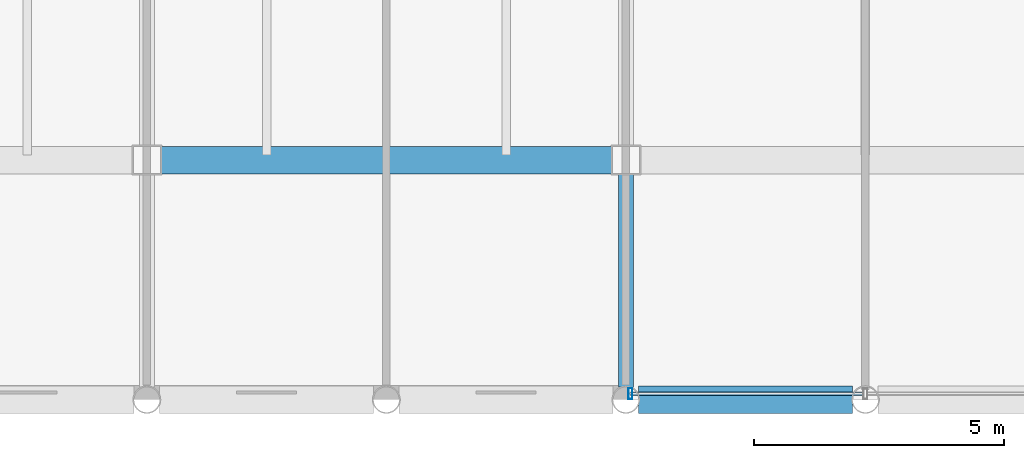
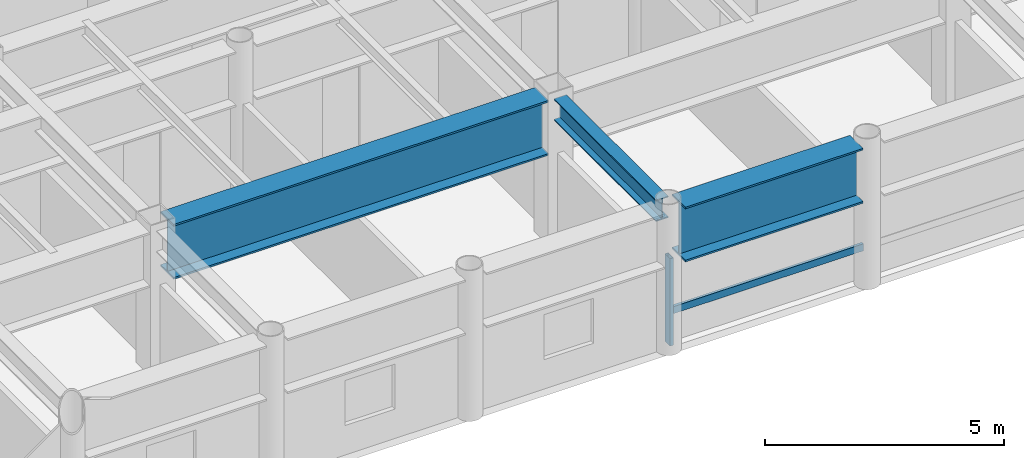
# One storey, part 4 of 25: 3 beams, 2 members, 1 element without a shape of its own.
"""IFC4 building model written with IfcOpenShell, lengths in metres."""

from ifc_helpers import new_model, si_unit, direction, frame, origin, origin_2d, place, context, subcontext, project, spatial, hollow_rectangle, i_section, extrude, material, layer, layer_set, material_profile, profile_set, type_object, element, aggregate, save


model = new_model("IFC4")

# Units and contexts
model_context = context("Model", 3, precision=1e-05, world=origin(), true_north=direction((0.0, 1.0)))
body_context = subcontext(model_context, "Body", "Model", "MODEL_VIEW")
ifc_project = project(units=[si_unit("LENGTHUNIT", "METRE"), si_unit("AREAUNIT", "SQUARE_METRE"), si_unit("VOLUMEUNIT", "CUBIC_METRE"), si_unit("PLANEANGLEUNIT", "RADIAN"), si_unit("MASSUNIT", "GRAM", prefix="KILO")], contexts=[model_context])

# Site, building, storey
site_placement = place(None, origin())
site = spatial("IfcSite", under=ifc_project, at=site_placement, CompositionType="ELEMENT")
building_placement = place(site_placement, origin())
building = spatial("IfcBuilding", under=site, at=building_placement, Name="Kallvorn Hotel Tower", CompositionType="ELEMENT")
storey_placement = place(building_placement, frame((0.0, 0.0, 249.25)))
storey = spatial("IfcBuildingStorey", under=building, at=storey_placement, Name="L62", CompositionType="ELEMENT", Elevation=249.25)

# Beams
ifc_material_1 = material(Name="Structural steel S355JR", Category="steel")
ifc_material_profile_1 = material_profile(ifc_material_1, i_section(OverallWidth=0.300048828125, OverallDepth=0.550048828125, WebThickness=0.014892578125, FlangeThickness=0.029052734375, at=origin_2d()), Name="HE 550 B")
ifc_profile_set_1 = profile_set([ifc_material_profile_1], Name="Structural steel S355JR")
beam_type_1 = type_object("IfcBeamType", Name="BM_HE550B", PredefinedType="SPANDREL", material=ifc_profile_set_1)
beam_1_placement = place(storey_placement, frame((-4.800048828125, -18.945556640625, 3.39501953125), z_axis=(0.0, 1.0, 0.0), x_axis=(-1.0, 0.0, 0.0)))
element("IfcBeam", 1, at=beam_1_placement, inside=storey, type_object=beam_type_1, Name="L63 Primary Y-Girder 106", PredefinedType="SPANDREL", context=body_context, shape_type="SweptSolid", body=[
    extrude(i_section(OverallWidth=0.300048828125, OverallDepth=0.550048828125, WebThickness=0.014892578125, FlangeThickness=0.029052734375, at=origin_2d()), origin(), (0.0, 0.0, 1.0), 4.2705078125),
])
ifc_material_2 = material(Name="Structural steel S355JR", Category="steel")
ifc_material_profile_2 = material_profile(ifc_material_2, i_section(OverallWidth=0.550048828125, OverallDepth=1.39990234375, WebThickness=0.02490234375, FlangeThickness=0.044921875, at=origin_2d()), Name="PG 1400x550x25x45")
ifc_profile_set_2 = profile_set([ifc_material_profile_2], Name="Structural steel S355JR")
beam_type_2 = type_object("IfcBeamType", Name="BM_PG_1400", PredefinedType="BEAM", material=ifc_profile_set_2)
beam_2_placement = place(storey_placement, frame((-4.54541015625, -19.199951171875, 2.969970703125), z_axis=(1.0, 0.0, 0.0), x_axis=(0.0, 1.0, 0.0)))
element("IfcBeam", 2, at=beam_2_placement, inside=storey, type_object=beam_type_2, Name="L63 Primary X-Girder 06", PredefinedType="BEAM", context=body_context, shape_type="SweptSolid", body=[
    extrude(i_section(OverallWidth=0.550048828125, OverallDepth=1.39990234375, WebThickness=0.02490234375, FlangeThickness=0.044921875, at=origin_2d()), origin(), (0.0, 0.0, 1.0), 4.291015625),
])
beam_3_placement = place(storey_placement, frame((-14.125, -14.39990234375, 2.969970703125), z_axis=(1.0, 0.0, 0.0), x_axis=(0.0, 1.0, 0.0)))
element("IfcBeam", 3, at=beam_3_placement, inside=storey, type_object=beam_type_2, Name="L63 Primary X-Girder 17", PredefinedType="BEAM", context=body_context, shape_type="SweptSolid", body=[
    extrude(i_section(OverallWidth=0.550048828125, OverallDepth=1.39990234375, WebThickness=0.02490234375, FlangeThickness=0.044921875, at=origin_2d()), origin(), (0.0, 0.0, 1.0), 9.050048828125),
])

# Curtain wall, members
ifc_material_3 = material(Name="Thermally broken black-anodised aluminium AA 6063-T6", Category="aluminium")
ifc_layer = layer(ifc_material_3, 0.22998046875)
ifc_layer_set = layer_set([ifc_layer], Name="CW_SYS_5_HOTEL_HIGH")
curtain_wall_type = type_object("IfcCurtainWallType", Name="CW_SYS_5_HOTEL_HIGH", PredefinedType="USERDEFINED", material=ifc_layer_set)
curtain_wall_placement = place(storey_placement, origin())
curtain_wall = element("IfcCurtainWall", 4, at=curtain_wall_placement, inside=storey, type_object=curtain_wall_type, Name="L62 Dark-Glass Curtain Wall CW-L62-SC", ObjectType="UNITISED CURTAIN WALL", PredefinedType="USERDEFINED")
ifc_material_4 = material(Name="Thermally broken black-anodised aluminium AA 6063-T6", Category="aluminium")
ifc_material_profile_3 = material_profile(ifc_material_4, hollow_rectangle(XDim=0.080078125, YDim=0.219970703125, WallThickness=0.0048828125, at=origin_2d()), Name="MUL 220x80")
ifc_profile_set_3 = profile_set([ifc_material_profile_3], Name="Thermally broken black-anodised aluminium AA 6063-T6")
member_type_1 = type_object("IfcMemberType", Name="CW_MULLION_220x80", PredefinedType="MULLION", material=ifc_profile_set_3)
member_1_placement = place(storey_placement, frame((-4.7099609375, -19.080078125, 0.02001953125), z_axis=(0.0, 0.0, 1.0), x_axis=(1.0, 0.0, 0.0)))
member_1 = element("IfcMember", 5, at=member_1_placement, type_object=member_type_1, Name="CW-L62-SC Mullion 00", PredefinedType="MULLION", context=body_context, shape_type="SweptSolid", body=[
    extrude(hollow_rectangle(XDim=0.080078125, YDim=0.219970703125, WallThickness=0.0048828125, at=origin_2d()), origin(), (0.0, 0.0, 1.0), 2.22998046875),
])
ifc_material_5 = material(Name="Thermally broken black-anodised aluminium AA 6063-T6", Category="aluminium")
ifc_material_profile_4 = material_profile(ifc_material_5, hollow_rectangle(XDim=0.070068359375, YDim=0.179931640625, WallThickness=0.00390625, at=origin_2d()), Name="TRN 180x70")
ifc_profile_set_4 = profile_set([ifc_material_profile_4], Name="Thermally broken black-anodised aluminium AA 6063-T6")
member_type_2 = type_object("IfcMemberType", Name="CW_TRANSOM_180x70", PredefinedType="USERDEFINED", material=ifc_profile_set_4)
member_2_placement = place(storey_placement, frame((-4.7099609375, -19.080078125, 0.85009765625), z_axis=(1.0, 0.0, 0.0), x_axis=(0.0, 1.0, 0.0)))
member_2 = element("IfcMember", 6, at=member_2_placement, type_object=member_type_2, Name="CW-L62-SC Transom 00M", ObjectType="TRANSOM", PredefinedType="USERDEFINED", context=body_context, shape_type="SweptSolid", body=[
    extrude(hollow_rectangle(XDim=0.070068359375, YDim=0.179931640625, WallThickness=0.00390625, at=origin_2d()), origin(), (0.0, 0.0, 1.0), 4.669921875),
])
aggregate(curtain_wall, [member_1, member_2])

save(model, "model.ifc")
